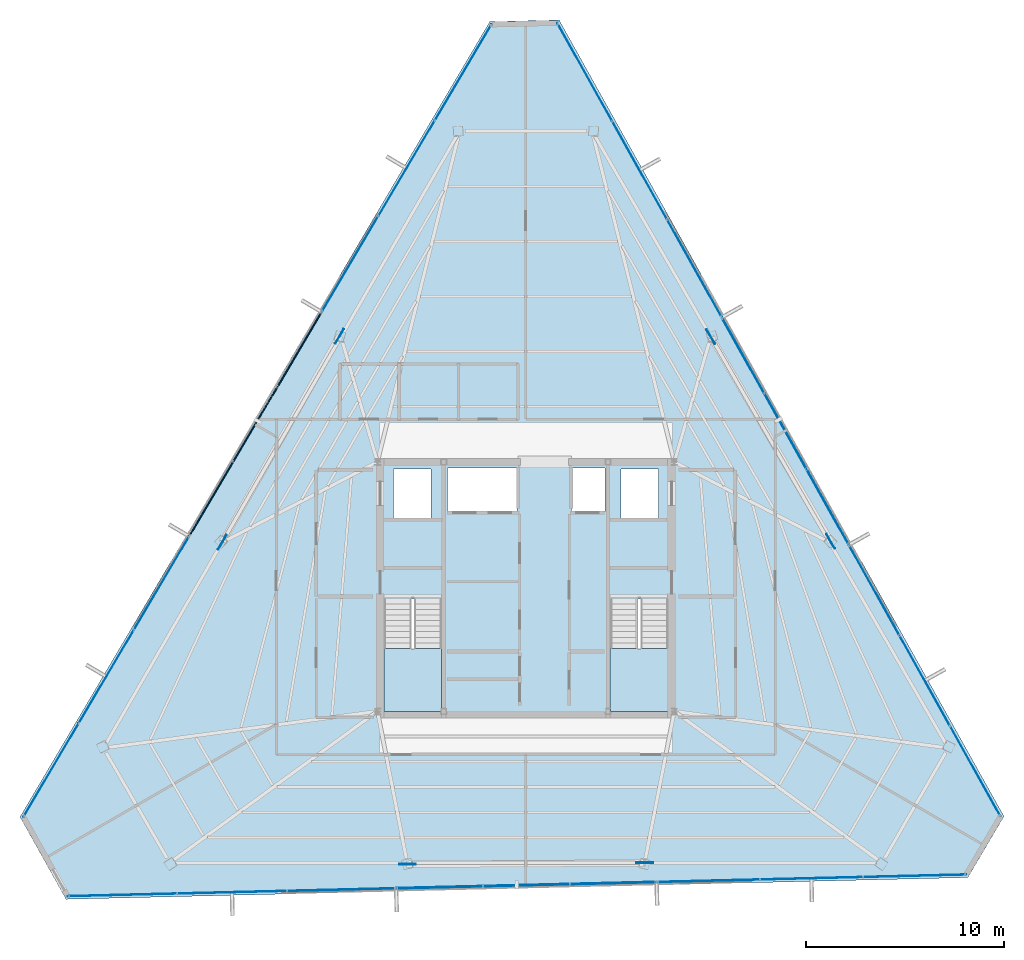
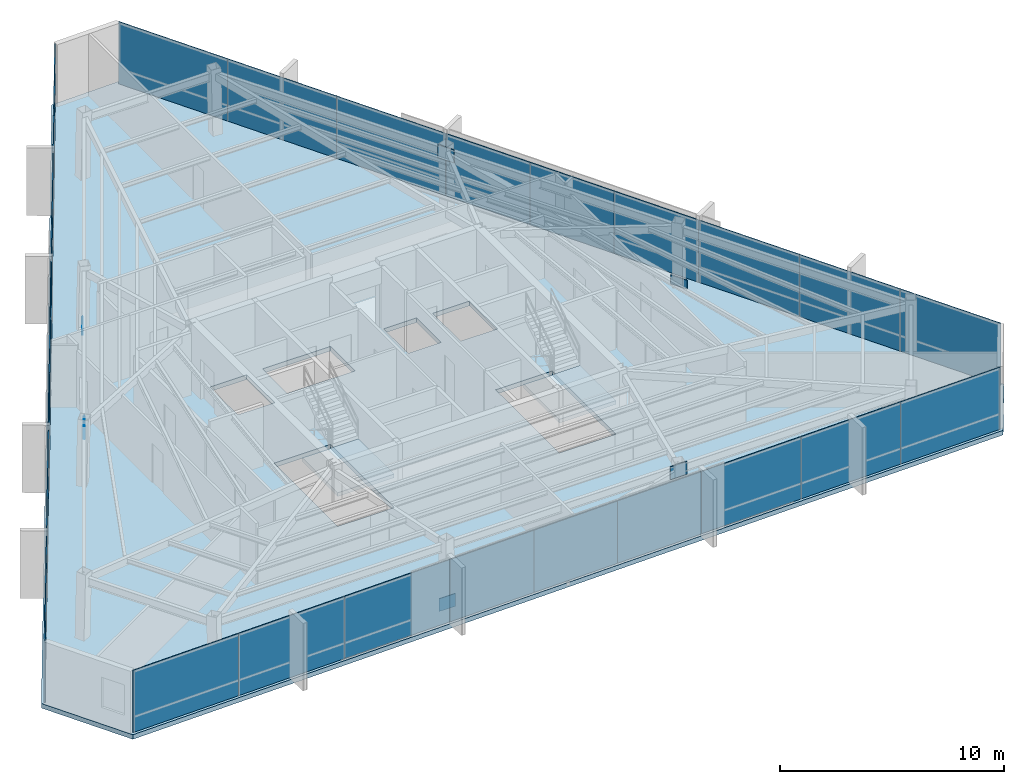
# One storey, part 39 of 45: 33 plates, 3 slabs, 11 elements without a shape of their own.
"""IFC4 building model written with IfcOpenShell, lengths in metres."""

from ifc_helpers import new_model, si_unit, direction, frame, origin, origin_2d, place, context, subcontext, project, spatial, polyline, rectangle, outline, extrude, source, transform, mapped, material, layer, layer_set, type_object, type_shapes, element, aggregate, save


model = new_model("IFC4")

# Units and contexts
model_context = context("Model", 3, precision=1e-05, world=origin(), true_north=direction((0.0, 1.0)))
body_context = subcontext(model_context, "Body", "Model", "MODEL_VIEW")
ifc_project = project(units=[si_unit("LENGTHUNIT", "METRE"), si_unit("AREAUNIT", "SQUARE_METRE"), si_unit("VOLUMEUNIT", "CUBIC_METRE"), si_unit("PLANEANGLEUNIT", "RADIAN"), si_unit("MASSUNIT", "GRAM", prefix="KILO")], contexts=[model_context])

# Site, building, storey
site_placement = place(None, origin())
site = spatial("IfcSite", under=ifc_project, at=site_placement, CompositionType="ELEMENT")
building_placement = place(site_placement, origin())
building = spatial("IfcBuilding", under=site, at=building_placement, Name="Caelisora Broadcast Tower", CompositionType="ELEMENT")
storey_placement = place(building_placement, frame((0.0, 0.0, 273.64990234375)))
storey = spatial("IfcBuildingStorey", under=building, at=storey_placement, Name="L72", CompositionType="ELEMENT", Elevation=273.64990234375)

# Slab
ifc_material_1 = material(Name="Concrete 40 MPa (AS 3600 N40)", Category="concrete")
ifc_layer_1 = layer(ifc_material_1, 0.25, Name="Concrete 40 MPa (AS 3600 N40)")
ifc_layer_set_1 = layer_set([ifc_layer_1], Name="Concrete 40 MPa (AS 3600 N40)")
slab_type_1 = type_object("IfcSlabType", Name="SL04", PredefinedType="FLOOR", material=ifc_layer_set_1)
slab_1_placement = place(storey_placement, frame((0.0, 0.0, -0.25)))
element("IfcSlab", 1, at=slab_1_placement, inside=storey, type_object=slab_type_1, Name="L72 suspended floor SL04", PredefinedType="FLOOR", context=body_context, shape_type="SweptSolid", body=[
    extrude(outline(polyline([(39.678955078125, 52.324951171875), (36.174072265625, 52.239990234375), (12.44189453125, 12.06396484375), (14.76708984375, 7.902099609375), (60.3291015625, 9.0), (62.155029296875, 12.091064453125), (39.678955078125, 52.324951171875)]), holes=[polyline([(30.820068359375, 17.39990234375), (33.739990234375, 17.39990234375), (33.739990234375, 23.080078125), (30.820068359375, 23.080078125), (30.820068359375, 17.39990234375)]), polyline([(42.260009765625, 17.39990234375), (45.179931640625, 17.39990234375), (45.179931640625, 23.080078125), (42.260009765625, 23.080078125), (42.260009765625, 17.39990234375)]), polyline([(42.800048828125, 27.14990234375), (44.699951171875, 27.14990234375), (44.699951171875, 29.64990234375), (42.800048828125, 29.64990234375), (42.800048828125, 27.14990234375)]), polyline([(40.300048828125, 27.5), (42.0, 27.5), (42.0, 29.699951171875), (40.300048828125, 29.699951171875), (40.300048828125, 27.5)]), polyline([(34.050048828125, 27.5), (37.550048828125, 27.5), (37.550048828125, 29.699951171875), (34.050048828125, 29.699951171875), (34.050048828125, 27.5)]), polyline([(31.300048828125, 27.14990234375), (33.199951171875, 27.14990234375), (33.199951171875, 29.64990234375), (31.300048828125, 29.64990234375), (31.300048828125, 27.14990234375)])]), origin(), (0.0, 0.0, 1.0), 0.25),
])

# Stair, slab
stair_type_1 = type_object("IfcStairType", Name="ST-1", PredefinedType="HALF_TURN_STAIR", material=ifc_material_1)
stair_1_placement = place(storey_placement, origin())
stair_1 = element("IfcStair", 2, at=stair_1_placement, inside=storey, type_object=stair_type_1, Name="L72 West Fire-Isolated Tower Stair", PredefinedType="HALF_TURN_STAIR")
ifc_layer_2 = layer(ifc_material_1, 0.199951171875, Name="Concrete 40 MPa (AS 3600 N40)")
ifc_layer_set_2 = layer_set([ifc_layer_2], Name="Concrete 40 MPa (AS 3600 N40)")
slab_type_2 = type_object("IfcSlabType", Name="STL-1", PredefinedType="LANDING", material=ifc_layer_set_2)
slab_2_placement = place(storey_placement, frame((0.0, 0.0, 1.625)))
slab_2 = element("IfcSlab", 3, at=slab_2_placement, type_object=slab_type_2, Name="ST-1 landing 1", PredefinedType="LANDING", context=body_context, shape_type="SweptSolid", body=[
    extrude(outline(polyline([(30.820068359375, 20.580078125), (30.820068359375, 17.39990234375), (33.739990234375, 17.39990234375), (33.739990234375, 20.580078125), (30.820068359375, 20.580078125)])), origin(), (0.0, 0.0, 1.0), 0.2001953125),
])
aggregate(stair_1, [slab_2])

stair_type_2 = type_object("IfcStairType", Name="ST-2", PredefinedType="HALF_TURN_STAIR", material=ifc_material_1)
stair_2_placement = place(storey_placement, origin())
stair_2 = element("IfcStair", 4, at=stair_2_placement, inside=storey, type_object=stair_type_2, Name="L72 East Fire-Isolated Tower Stair", PredefinedType="HALF_TURN_STAIR")
slab_3_placement = place(storey_placement, frame((0.0, 0.0, 1.625)))
slab_3 = element("IfcSlab", 5, at=slab_3_placement, type_object=slab_type_2, Name="ST-2 landing 1", PredefinedType="LANDING", context=body_context, shape_type="SweptSolid", body=[
    extrude(outline(polyline([(42.260009765625, 20.580078125), (42.260009765625, 17.39990234375), (45.179931640625, 17.39990234375), (45.179931640625, 20.580078125), (42.260009765625, 20.580078125)])), origin(), (0.0, 0.0, 1.0), 0.2001953125),
])
aggregate(stair_2, [slab_3])

# Plates
ifc_material_2 = material(Name="Steel Grade 350 L15 (AS/NZS 3678)", Category="steel")
ifc_layer_3 = layer(ifc_material_2, 0.0400390625, Name="Steel Grade 350 L15 (AS/NZS 3678)")
ifc_layer_set_3 = layer_set([ifc_layer_3], Name="Steel Grade 350 L15 (AS/NZS 3678)")
plate_type_1 = type_object("IfcPlateType", Name="GP04", PredefinedType="USERDEFINED", material=ifc_layer_set_3)
shared_shape_1 = source(origin(), body_context, "Body", "SweptSolid", [
    extrude(rectangle(XDim=0.85009765625, YDim=0.0400390625, at=origin_2d()), origin(), (0.0, 0.0, 1.0), 0.699951171875),
])
type_shapes(plate_type_1, [shared_shape_1])
for number, where, z_axis, x_axis, name in (
    (6, (28.583984375, 36.34375, -0.22998046875), (0.0, 0.0, 1.0), (-0.5, -0.866025403784, 0.0), "L72 gusset plate GP04 (ND-L72-C02B)"),
    (7, (22.656494140625, 25.93212890625, 2.72998046875), (0.0, 0.0, 1.0), (-0.5, -0.866025403784, 0.0), "L72 gusset plate GP04 (ND-L72-C03T)"),
    (8, (32.017822265625, 9.673583984375, -0.22998046875), (0.0, 0.0, 1.0), (1.0, 0.0, 0.0), "L72 gusset plate GP04 (ND-L72-C06B)"),
    (9, (43.998291015625, 9.745849609375, 2.72998046875), (0.0, 0.0, 1.0), (1.0, 0.0, 0.0), "L72 gusset plate GP04 (ND-L72-C07T)"),
    (10, (53.39794921875, 25.982666015625, -0.22998046875), (0.0, 0.0, 1.0), (-0.5, 0.866025403784, 0.0), "L72 gusset plate GP04 (ND-L72-C10B)"),
    (11, (47.34521484375, 36.322021484375, 2.72998046875), (0.0, 0.0, 1.0), (-0.5, 0.866025403784, 0.0), "L72 gusset plate GP04 (ND-L72-C11T)"),
):
    element("IfcPlate", number, at=place(storey_placement, frame(where, z_axis=z_axis, x_axis=x_axis)), inside=storey, type_object=plate_type_1, Name=name, ObjectType="GUSSET PLATE", PredefinedType="USERDEFINED", context=body_context, shape_type="MappedRepresentation", body=[
        mapped(shared_shape_1, transform((0.0, 0.0, 0.0), scale=1.0)),
    ])

# Curtain wall, plates
ifc_material_3 = material(Name="Unitised Aluminium and Low-E Glass Curtain Wall", Category="glass")
curtain_wall_type_1 = type_object("IfcCurtainWallType", Name="CW-Z5", PredefinedType="NOTDEFINED", material=ifc_material_3)
curtain_wall_1_placement = place(storey_placement, origin())
curtain_wall_1 = element("IfcCurtainWall", 12, at=curtain_wall_1_placement, inside=storey, type_object=curtain_wall_type_1, Name="L72 curtain wall CW-Z5", PredefinedType="NOTDEFINED")
ifc_material_4 = material(Name="Double Glazed Low-E Argon IGU", Category="glass")
ifc_layer_4 = layer(ifc_material_4, 0.028076171875, Name="Double Glazed Low-E Argon IGU")
ifc_layer_set_4 = layer_set([ifc_layer_4], Name="Double Glazed Low-E Argon IGU")
plate_type_2 = type_object("IfcPlateType", Name="CWP-06", PredefinedType="CURTAIN_PANEL", material=ifc_layer_set_4)
shared_shape_2 = source(origin(), body_context, "Body", "SweptSolid", [
    extrude(rectangle(XDim=5.676513671875, YDim=0.028076171875, at=origin_2d()), origin(), (0.0, 0.0, 1.0), 3.39990234375),
])
plate_1_placement = place(storey_placement, frame((40.976318359375, 49.695068359375, 0.000244140625), z_axis=(0.0, 0.0, 1.0), x_axis=(0.487707298065, -0.873007211547, 0.0)))
plate_1 = element("IfcPlate", 13, at=plate_1_placement, type_object=plate_type_2, Name="L72-CW-B01 glazed panel #1", PredefinedType="CURTAIN_PANEL", context=body_context, shape_type="MappedRepresentation", body=[
    mapped(shared_shape_2, transform((0.0, 0.0, 0.0), scale=1.0)),
])
plate_2_placement = place(storey_placement, frame((43.74462890625, 44.739501953125, 0.000244140625), z_axis=(0.0, 0.0, 1.0), x_axis=(0.487707298065, -0.873007211547, 0.0)))
plate_2 = element("IfcPlate", 14, at=plate_2_placement, type_object=plate_type_2, Name="L72-CW-B01 glazed panel #2", PredefinedType="CURTAIN_PANEL", context=body_context, shape_type="MappedRepresentation", body=[
    mapped(shared_shape_2, transform((0.0, 0.0, 0.0), scale=1.0)),
])
plate_3_placement = place(storey_placement, frame((46.51318359375, 39.78369140625, 0.000244140625), z_axis=(0.0, 0.0, 1.0), x_axis=(0.487707298065, -0.873007211547, 0.0)))
plate_3 = element("IfcPlate", 15, at=plate_3_placement, type_object=plate_type_2, Name="L72-CW-B01 glazed panel #3", PredefinedType="CURTAIN_PANEL", context=body_context, shape_type="MappedRepresentation", body=[
    mapped(shared_shape_2, transform((0.0, 0.0, 0.0), scale=1.0)),
])
aggregate(curtain_wall_1, [plate_1, plate_2, plate_3])

ifc_material_5 = material(Name="Unitised Aluminium Insulated Shadow-Box Spandrel Curtain Wall", Category="aluminium")
curtain_wall_type_2 = type_object("IfcCurtainWallType", Name="CW-SP3", PredefinedType="NOTDEFINED", material=ifc_material_5)
curtain_wall_2_placement = place(storey_placement, origin())
curtain_wall_2 = element("IfcCurtainWall", 16, at=curtain_wall_2_placement, inside=storey, type_object=curtain_wall_type_2, Name="L72 curtain wall CW-SP3", PredefinedType="NOTDEFINED")
ifc_material_6 = material(Name="Insulated Terracotta Shadow-Box Spandrel Panel", Category="aluminium")
ifc_layer_5 = layer(ifc_material_6, 0.0439453125, Name="Insulated Terracotta Shadow-Box Spandrel Panel")
ifc_layer_set_5 = layer_set([ifc_layer_5], Name="Insulated Terracotta Shadow-Box Spandrel Panel")
plate_type_3 = type_object("IfcPlateType", Name="CWP-10", PredefinedType="CURTAIN_PANEL", material=ifc_layer_set_5)
shared_shape_3 = source(origin(), body_context, "Body", "SweptSolid", [
    extrude(rectangle(XDim=4.38427734375, YDim=0.0439453125, at=origin_2d()), origin(), (0.0, 0.0, 1.0), 3.39990234375),
])
plate_4_placement = place(storey_placement, frame((48.97119140625, 35.38330078125, 0.000244140625), z_axis=(0.0, 0.0, 1.0), x_axis=(0.487707298065, -0.873007211547, 0.0)))
plate_4 = element("IfcPlate", 17, at=plate_4_placement, type_object=plate_type_3, Name="L72-CW-B02 spandrel panel #1", PredefinedType="CURTAIN_PANEL", context=body_context, shape_type="MappedRepresentation", body=[
    mapped(shared_shape_3, transform((0.0, 0.0, 0.0), scale=1.0)),
])
plate_5_placement = place(storey_placement, frame((51.109619140625, 31.5556640625, 0.000244140625), z_axis=(0.0, 0.0, 1.0), x_axis=(0.487707298065, -0.873007211547, 0.0)))
plate_5 = element("IfcPlate", 18, at=plate_5_placement, type_object=plate_type_3, Name="L72-CW-B02 spandrel panel #2", PredefinedType="CURTAIN_PANEL", context=body_context, shape_type="MappedRepresentation", body=[
    mapped(shared_shape_3, transform((0.0, 0.0, 0.0), scale=1.0)),
])
plate_6_placement = place(storey_placement, frame((53.247802734375, 27.72802734375, 0.000244140625), z_axis=(0.0, 0.0, 1.0), x_axis=(0.487707298065, -0.873007211547, 0.0)))
plate_6 = element("IfcPlate", 19, at=plate_6_placement, type_object=plate_type_3, Name="L72-CW-B02 spandrel panel #3", PredefinedType="CURTAIN_PANEL", context=body_context, shape_type="MappedRepresentation", body=[
    mapped(shared_shape_3, transform((0.0, 0.0, 0.0), scale=1.0)),
])
aggregate(curtain_wall_2, [plate_4, plate_5, plate_6])

curtain_wall_3_placement = place(storey_placement, origin())
curtain_wall_3 = element("IfcCurtainWall", 20, at=curtain_wall_3_placement, inside=storey, type_object=curtain_wall_type_1, Name="L72 curtain wall CW-Z5", PredefinedType="NOTDEFINED")
shared_shape_4 = source(origin(), body_context, "Body", "SweptSolid", [
    extrude(rectangle(XDim=5.235595703125, YDim=0.028076171875, at=origin_2d()), origin(), (0.0, 0.0, 1.0), 3.39990234375),
])
plate_7_placement = place(storey_placement, frame((55.598388671875, 23.520263671875, 0.000244140625), z_axis=(0.0, 0.0, 1.0), x_axis=(0.487707298065, -0.873007211547, 0.0)))
plate_7 = element("IfcPlate", 21, at=plate_7_placement, type_object=plate_type_2, Name="L72-CW-B03 glazed panel #1", PredefinedType="CURTAIN_PANEL", context=body_context, shape_type="MappedRepresentation", body=[
    mapped(shared_shape_4, transform((0.0, 0.0, 0.0), scale=1.0)),
])
plate_8_placement = place(storey_placement, frame((58.15185546875, 18.94921875, 0.000244140625), z_axis=(0.0, 0.0, 1.0), x_axis=(0.487707298065, -0.873007211547, 0.0)))
plate_8 = element("IfcPlate", 22, at=plate_8_placement, type_object=plate_type_2, Name="L72-CW-B03 glazed panel #2", PredefinedType="CURTAIN_PANEL", context=body_context, shape_type="MappedRepresentation", body=[
    mapped(shared_shape_4, transform((0.0, 0.0, 0.0), scale=1.0)),
])
plate_9_placement = place(storey_placement, frame((60.705322265625, 14.37841796875, 0.000244140625), z_axis=(0.0, 0.0, 1.0), x_axis=(0.487707298065, -0.873007211547, 0.0)))
plate_9 = element("IfcPlate", 23, at=plate_9_placement, type_object=plate_type_2, Name="L72-CW-B03 glazed panel #3", PredefinedType="CURTAIN_PANEL", context=body_context, shape_type="MappedRepresentation", body=[
    mapped(shared_shape_4, transform((0.0, 0.0, 0.0), scale=1.0)),
])
aggregate(curtain_wall_3, [plate_7, plate_8, plate_9])

curtain_wall_4_placement = place(storey_placement, origin())
curtain_wall_4 = element("IfcCurtainWall", 24, at=curtain_wall_4_placement, inside=storey, type_object=curtain_wall_type_1, Name="L72 curtain wall CW-Z5", PredefinedType="NOTDEFINED")
shared_shape_5 = source(origin(), body_context, "Body", "SweptSolid", [
    extrude(rectangle(XDim=5.21240234375, YDim=0.028076171875, at=origin_2d()), origin(), (0.0, 0.0, 1.0), 3.39990234375),
])
plate_10_placement = place(storey_placement, frame((57.636474609375, 9.085205078125, 0.000244140625), z_axis=(0.0, 0.0, 1.0), x_axis=(-0.999709957315, -0.024083215021, 0.0)))
plate_10 = element("IfcPlate", 25, at=plate_10_placement, type_object=plate_type_2, Name="L72-CW-B05 glazed panel #1", PredefinedType="CURTAIN_PANEL", context=body_context, shape_type="MappedRepresentation", body=[
    mapped(shared_shape_5, transform((0.0, 0.0, 0.0), scale=1.0)),
])
plate_11_placement = place(storey_placement, frame((52.425537109375, 8.959716796875, 0.000244140625), z_axis=(0.0, 0.0, 1.0), x_axis=(-0.999709957315, -0.024083215021, 0.0)))
plate_11 = element("IfcPlate", 26, at=plate_11_placement, type_object=plate_type_2, Name="L72-CW-B05 glazed panel #2", PredefinedType="CURTAIN_PANEL", context=body_context, shape_type="MappedRepresentation", body=[
    mapped(shared_shape_5, transform((0.0, 0.0, 0.0), scale=1.0)),
])
plate_12_placement = place(storey_placement, frame((47.214599609375, 8.833984375, 0.000244140625), z_axis=(0.0, 0.0, 1.0), x_axis=(-0.999709957315, -0.024083215021, 0.0)))
plate_12 = element("IfcPlate", 27, at=plate_12_placement, type_object=plate_type_2, Name="L72-CW-B05 glazed panel #3", PredefinedType="CURTAIN_PANEL", context=body_context, shape_type="MappedRepresentation", body=[
    mapped(shared_shape_5, transform((0.0, 0.0, 0.0), scale=1.0)),
])
aggregate(curtain_wall_4, [plate_10, plate_11, plate_12])

curtain_wall_5_placement = place(storey_placement, origin())
curtain_wall_5 = element("IfcCurtainWall", 28, at=curtain_wall_5_placement, inside=storey, type_object=curtain_wall_type_2, Name="L72 curtain wall CW-SP3", PredefinedType="NOTDEFINED")
shared_shape_6 = source(origin(), body_context, "Body", "SweptSolid", [
    extrude(rectangle(XDim=4.383544921875, YDim=0.0439453125, at=origin_2d()), origin(), (0.0, 0.0, 1.0), 3.39990234375),
])
plate_13_placement = place(storey_placement, frame((42.407958984375, 8.718017578125, 0.000244140625), z_axis=(0.0, 0.0, 1.0), x_axis=(-0.999709957315, -0.024083215021, 0.0)))
plate_13 = element("IfcPlate", 29, at=plate_13_placement, type_object=plate_type_3, Name="L72-CW-B06 spandrel panel #1", PredefinedType="CURTAIN_PANEL", context=body_context, shape_type="MappedRepresentation", body=[
    mapped(shared_shape_6, transform((0.0, 0.0, 0.0), scale=1.0)),
])
plate_14_placement = place(storey_placement, frame((38.025634765625, 8.612548828125, 0.000244140625), z_axis=(0.0, 0.0, 1.0), x_axis=(-0.999709957315, -0.024083215021, 0.0)))
plate_14 = element("IfcPlate", 30, at=plate_14_placement, type_object=plate_type_3, Name="L72-CW-B06 spandrel panel #2", PredefinedType="CURTAIN_PANEL", context=body_context, shape_type="MappedRepresentation", body=[
    mapped(shared_shape_6, transform((0.0, 0.0, 0.0), scale=1.0)),
])
plate_15_placement = place(storey_placement, frame((33.643310546875, 8.5068359375, 0.000244140625), z_axis=(0.0, 0.0, 1.0), x_axis=(-0.999709957315, -0.024083215021, 0.0)))
plate_15 = element("IfcPlate", 31, at=plate_15_placement, type_object=plate_type_3, Name="L72-CW-B06 spandrel panel #3", PredefinedType="CURTAIN_PANEL", context=body_context, shape_type="MappedRepresentation", body=[
    mapped(shared_shape_6, transform((0.0, 0.0, 0.0), scale=1.0)),
])
aggregate(curtain_wall_5, [plate_13, plate_14, plate_15])

curtain_wall_6_placement = place(storey_placement, origin())
curtain_wall_6 = element("IfcCurtainWall", 32, at=curtain_wall_6_placement, inside=storey, type_object=curtain_wall_type_1, Name="L72 curtain wall CW-Z5", PredefinedType="NOTDEFINED")
shared_shape_7 = source(origin(), body_context, "Body", "SweptSolid", [
    extrude(rectangle(XDim=5.531005859375, YDim=0.028076171875, at=origin_2d()), origin(), (0.0, 0.0, 1.0), 3.39990234375),
])
plate_16_placement = place(storey_placement, frame((28.677490234375, 8.38720703125, 0.000244140625), z_axis=(0.0, 0.0, 1.0), x_axis=(-0.999709957315, -0.024083215021, 0.0)))
plate_16 = element("IfcPlate", 33, at=plate_16_placement, type_object=plate_type_2, Name="L72-CW-B07 glazed panel #1", PredefinedType="CURTAIN_PANEL", context=body_context, shape_type="MappedRepresentation", body=[
    mapped(shared_shape_7, transform((0.0, 0.0, 0.0), scale=1.0)),
])
plate_17_placement = place(storey_placement, frame((23.148193359375, 8.25390625, 0.000244140625), z_axis=(0.0, 0.0, 1.0), x_axis=(-0.999709957315, -0.024083215021, 0.0)))
plate_17 = element("IfcPlate", 34, at=plate_17_placement, type_object=plate_type_2, Name="L72-CW-B07 glazed panel #2", PredefinedType="CURTAIN_PANEL", context=body_context, shape_type="MappedRepresentation", body=[
    mapped(shared_shape_7, transform((0.0, 0.0, 0.0), scale=1.0)),
])
plate_18_placement = place(storey_placement, frame((17.61865234375, 8.12060546875, 0.000244140625), z_axis=(0.0, 0.0, 1.0), x_axis=(-0.999709957315, -0.024083215021, 0.0)))
plate_18 = element("IfcPlate", 35, at=plate_18_placement, type_object=plate_type_2, Name="L72-CW-B07 glazed panel #3", PredefinedType="CURTAIN_PANEL", context=body_context, shape_type="MappedRepresentation", body=[
    mapped(shared_shape_7, transform((0.0, 0.0, 0.0), scale=1.0)),
])
aggregate(curtain_wall_6, [plate_16, plate_17, plate_18])

curtain_wall_7_placement = place(storey_placement, origin())
curtain_wall_7 = element("IfcCurtainWall", 36, at=curtain_wall_7_placement, inside=storey, type_object=curtain_wall_type_1, Name="L72 curtain wall CW-Z5", PredefinedType="NOTDEFINED")
shared_shape_8 = source(origin(), body_context, "Body", "SweptSolid", [
    extrude(rectangle(XDim=5.48681640625, YDim=0.028076171875, at=origin_2d()), origin(), (0.0, 0.0, 1.0), 3.39990234375),
])
plate_19_placement = place(storey_placement, frame((14.01025390625, 14.424072265625, 0.000244140625), z_axis=(0.0, 0.0, 1.0), x_axis=(0.508590662521, 0.861008442465, 0.0)))
plate_19 = element("IfcPlate", 37, at=plate_19_placement, type_object=plate_type_2, Name="L72-CW-B09 glazed panel #1", PredefinedType="CURTAIN_PANEL", context=body_context, shape_type="MappedRepresentation", body=[
    mapped(shared_shape_8, transform((0.0, 0.0, 0.0), scale=1.0)),
])
plate_20_placement = place(storey_placement, frame((16.80078125, 19.148193359375, 0.000244140625), z_axis=(0.0, 0.0, 1.0), x_axis=(0.508590662521, 0.861008442465, 0.0)))
plate_20 = element("IfcPlate", 38, at=plate_20_placement, type_object=plate_type_2, Name="L72-CW-B09 glazed panel #2", PredefinedType="CURTAIN_PANEL", context=body_context, shape_type="MappedRepresentation", body=[
    mapped(shared_shape_8, transform((0.0, 0.0, 0.0), scale=1.0)),
])
plate_21_placement = place(storey_placement, frame((19.59130859375, 23.8720703125, 0.000244140625), z_axis=(0.0, 0.0, 1.0), x_axis=(0.508590662521, 0.861008442465, 0.0)))
plate_21 = element("IfcPlate", 39, at=plate_21_placement, type_object=plate_type_2, Name="L72-CW-B09 glazed panel #3", PredefinedType="CURTAIN_PANEL", context=body_context, shape_type="MappedRepresentation", body=[
    mapped(shared_shape_8, transform((0.0, 0.0, 0.0), scale=1.0)),
])
aggregate(curtain_wall_7, [plate_19, plate_20, plate_21])

curtain_wall_8_placement = place(storey_placement, origin())
curtain_wall_8 = element("IfcCurtainWall", 40, at=curtain_wall_8_placement, inside=storey, type_object=curtain_wall_type_2, Name="L72 curtain wall CW-SP3", PredefinedType="NOTDEFINED")
shared_shape_9 = source(origin(), body_context, "Body", "SweptSolid", [
    extrude(rectangle(XDim=4.384521484375, YDim=0.0439453125, at=origin_2d()), origin(), (0.0, 0.0, 1.0), 3.39990234375),
])
type_shapes(plate_type_3, [shared_shape_3, shared_shape_6, shared_shape_9])
plate_22_placement = place(storey_placement, frame((22.106689453125, 28.13037109375, 0.000244140625), z_axis=(0.0, 0.0, 1.0), x_axis=(0.508590662521, 0.861008442465, 0.0)))
plate_22 = element("IfcPlate", 41, at=plate_22_placement, type_object=plate_type_3, Name="L72-CW-B10 spandrel panel #1", PredefinedType="CURTAIN_PANEL", context=body_context, shape_type="MappedRepresentation", body=[
    mapped(shared_shape_9, transform((0.0, 0.0, 0.0), scale=1.0)),
])
plate_23_placement = place(storey_placement, frame((24.336669921875, 31.905517578125, 0.000244140625), z_axis=(0.0, 0.0, 1.0), x_axis=(0.508590662521, 0.861008442465, 0.0)))
plate_23 = element("IfcPlate", 42, at=plate_23_placement, type_object=plate_type_3, Name="L72-CW-B10 spandrel panel #2", PredefinedType="CURTAIN_PANEL", context=body_context, shape_type="MappedRepresentation", body=[
    mapped(shared_shape_9, transform((0.0, 0.0, 0.0), scale=1.0)),
])
plate_24_placement = place(storey_placement, frame((26.566650390625, 35.680419921875, 0.000244140625), z_axis=(0.0, 0.0, 1.0), x_axis=(0.508590662521, 0.861008442465, 0.0)))
plate_24 = element("IfcPlate", 43, at=plate_24_placement, type_object=plate_type_3, Name="L72-CW-B10 spandrel panel #3", PredefinedType="CURTAIN_PANEL", context=body_context, shape_type="MappedRepresentation", body=[
    mapped(shared_shape_9, transform((0.0, 0.0, 0.0), scale=1.0)),
])
aggregate(curtain_wall_8, [plate_22, plate_23, plate_24])

curtain_wall_9_placement = place(storey_placement, origin())
curtain_wall_9 = element("IfcCurtainWall", 44, at=curtain_wall_9_placement, inside=storey, type_object=curtain_wall_type_1, Name="L72 curtain wall CW-Z5", PredefinedType="NOTDEFINED")
shared_shape_10 = source(origin(), body_context, "Body", "SweptSolid", [
    extrude(rectangle(XDim=5.61962890625, YDim=0.028076171875, at=origin_2d()), origin(), (0.0, 0.0, 1.0), 3.39990234375),
])
type_shapes(plate_type_2, [shared_shape_2, shared_shape_4, shared_shape_5, shared_shape_7, shared_shape_8, shared_shape_10])
plate_25_placement = place(storey_placement, frame((29.11572265625, 39.995849609375, 0.000244140625), z_axis=(0.0, 0.0, 1.0), x_axis=(0.508590662521, 0.861008442465, 0.0)))
plate_25 = element("IfcPlate", 45, at=plate_25_placement, type_object=plate_type_2, Name="L72-CW-B11 glazed panel #1", PredefinedType="CURTAIN_PANEL", context=body_context, shape_type="MappedRepresentation", body=[
    mapped(shared_shape_10, transform((0.0, 0.0, 0.0), scale=1.0)),
])
plate_26_placement = place(storey_placement, frame((31.973876953125, 44.834228515625, 0.000244140625), z_axis=(0.0, 0.0, 1.0), x_axis=(0.508590662521, 0.861008442465, 0.0)))
plate_26 = element("IfcPlate", 46, at=plate_26_placement, type_object=plate_type_2, Name="L72-CW-B11 glazed panel #2", PredefinedType="CURTAIN_PANEL", context=body_context, shape_type="MappedRepresentation", body=[
    mapped(shared_shape_10, transform((0.0, 0.0, 0.0), scale=1.0)),
])
plate_27_placement = place(storey_placement, frame((34.831787109375, 49.6728515625, 0.000244140625), z_axis=(0.0, 0.0, 1.0), x_axis=(0.508590662521, 0.861008442465, 0.0)))
plate_27 = element("IfcPlate", 47, at=plate_27_placement, type_object=plate_type_2, Name="L72-CW-B11 glazed panel #3", PredefinedType="CURTAIN_PANEL", context=body_context, shape_type="MappedRepresentation", body=[
    mapped(shared_shape_10, transform((0.0, 0.0, 0.0), scale=1.0)),
])
aggregate(curtain_wall_9, [plate_25, plate_26, plate_27])

save(model, "model.ifc")
